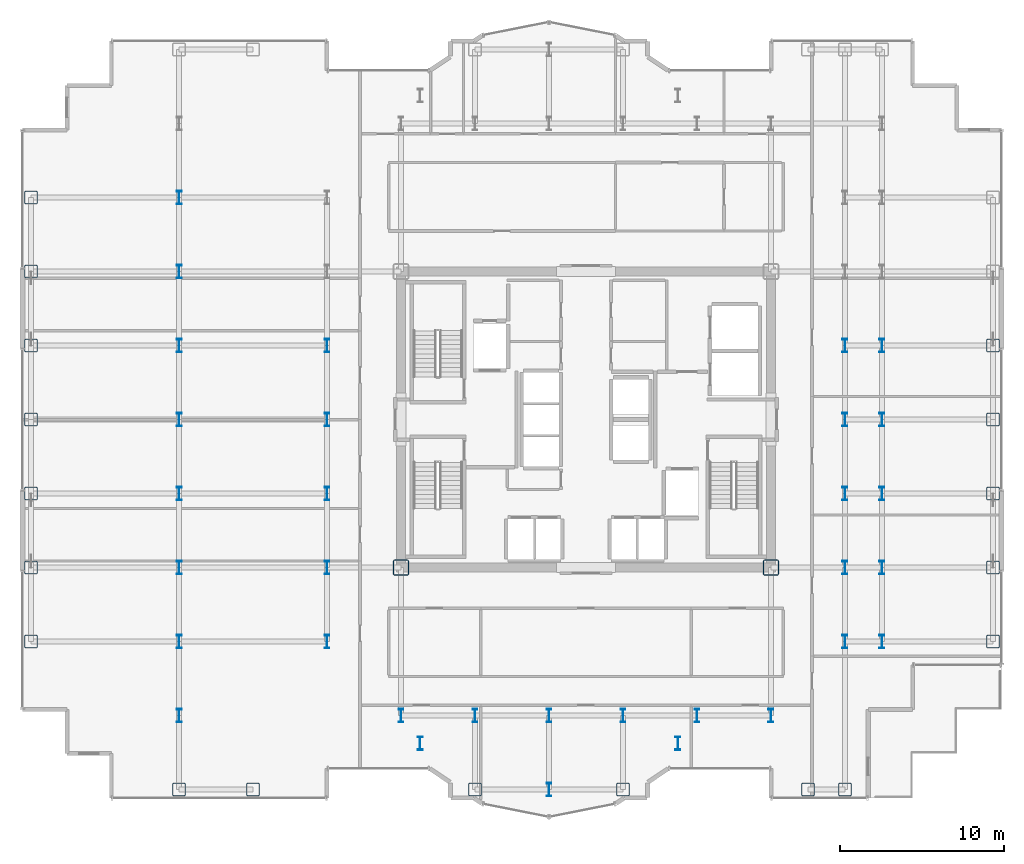
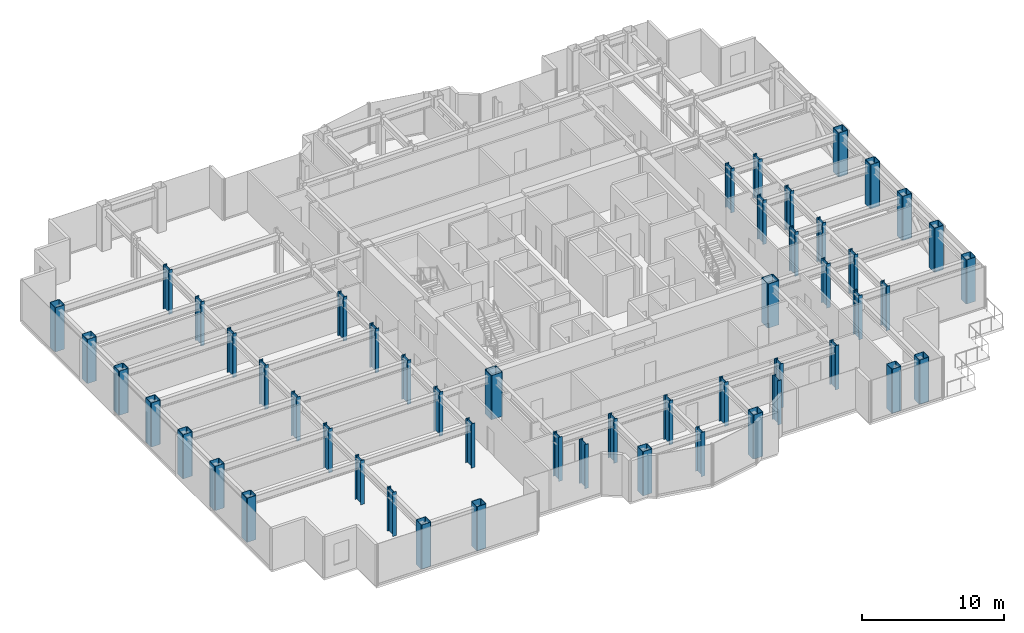
# One storey, part 1 of 27: 52 columns.
"""IFC4 building model written with IfcOpenShell, lengths in metres."""

import ifcopenshell
import ifcopenshell.guid

model = None  # the IFC model being written
_history = None  # IfcOwnerHistory: only IFC2X3 demands one
_inside = {}  # id of a spatial element -> (the spatial element, [elements in it])
_under = {}  # id of a project, library or spatial element -> (it, [spatial elements below it])
_declared = {}  # id of a project -> (the project, [libraries it declares])
_typed = {}  # id of a type object -> (the type object, [elements of that type])
_made_of = {}  # id of a material, layer set ... -> (it, [elements and type objects made of it])


def new_model(schema):
    """Start an empty IFC model of exactly this schema.

    Asked for "IFC4X3", IfcOpenShell would pick the latest addendum, in which some entities
    have other attributes; the version numbers below select the first issue.
    IFC2X3 requires an IfcOwnerHistory on every rooted entity: one is made here for all.
    """
    global model, _history
    if schema == "IFC4X3":
        model = ifcopenshell.file(schema_version=(4, 3, 0, 0))
    else:
        model = ifcopenshell.file(schema=schema)
    _inside.clear()
    _under.clear()
    _declared.clear()
    _typed.clear()
    _made_of.clear()
    _history = None
    if model.schema == "IFC2X3":
        org = make("IfcOrganization", Name="unknown")
        user = make(
            "IfcPersonAndOrganization",
            ThePerson=make("IfcPerson", FamilyName="unknown"),
            TheOrganization=org,
        )
        app = make(
            "IfcApplication",
            ApplicationDeveloper=org,
            Version="unknown",
            ApplicationFullName="unknown",
            ApplicationIdentifier="unknown",
        )
        _history = make(
            "IfcOwnerHistory",
            OwningUser=user,
            OwningApplication=app,
            ChangeAction="ADDED",
            CreationDate=0,
        )
    return model


def make(cls, **values):
    """One entity of the class cls with the attributes given. An attribute that is None is left unset."""
    return model.create_entity(
        cls, **{name: value for name, value in values.items() if value is not None}
    )


def rooted(cls, **values):
    """An entity with a GlobalId (a new one), such as an element, a storey or a relation."""
    return make(cls, GlobalId=ifcopenshell.guid.new(), OwnerHistory=_history, **values)


def si_unit(unit_type, name, prefix=None):
    """IfcSIUnit, for example si_unit("LENGTHUNIT", "METRE", prefix="MILLI")."""
    return make("IfcSIUnit", UnitType=unit_type, Prefix=prefix, Name=name)


def assignment(units):
    """IfcUnitAssignment: the units of a project."""
    return None if units is None else make("IfcUnitAssignment", Units=units)


def point(xyz):
    """IfcCartesianPoint."""
    return None if xyz is None else make("IfcCartesianPoint", Coordinates=xyz)


def direction(xyz):
    """IfcDirection."""
    return None if xyz is None else make("IfcDirection", DirectionRatios=xyz)


def frame(location, z_axis=None, x_axis=None):
    """IfcAxis2Placement3D, a coordinate frame: its origin and axes. An axis left out is left unset."""
    return make(
        "IfcAxis2Placement3D",
        Location=point(location),
        Axis=direction(z_axis),
        RefDirection=direction(x_axis),
    )


def frame_2d(location, x_axis=None):
    """IfcAxis2Placement2D, a coordinate frame in the plane: its origin and x axis."""
    return make(
        "IfcAxis2Placement2D", Location=point(location), RefDirection=direction(x_axis)
    )


def origin():
    """The frame at (0, 0, 0) with its axes left unset."""
    return frame((0.0, 0.0, 0.0))


def origin_2d():
    """The frame at (0, 0) in the plane with its x axis left unset."""
    return frame_2d((0.0, 0.0))


def place(relative_to, where):
    """IfcLocalPlacement: puts the frame where relative to a parent placement (None: the world)."""
    return make(
        "IfcLocalPlacement", PlacementRelTo=relative_to, RelativePlacement=where
    )


def context(
    kind, dimensions, precision=None, world=None, true_north=None, identifier=None
):
    """IfcGeometricRepresentationContext, for example the 3D "Model" context."""
    return make(
        "IfcGeometricRepresentationContext",
        ContextIdentifier=identifier,
        ContextType=kind,
        CoordinateSpaceDimension=dimensions,
        Precision=precision,
        WorldCoordinateSystem=world,
        TrueNorth=true_north,
    )


def subcontext(parent, identifier, kind, view, scale=None):
    """IfcGeometricRepresentationSubContext, for example "Body" below "Model"."""
    return make(
        "IfcGeometricRepresentationSubContext",
        ContextIdentifier=identifier,
        ContextType=kind,
        ParentContext=parent,
        TargetScale=scale,
        TargetView=view,
    )


def project(units=None, contexts=None):
    """IfcProject with its units and contexts."""
    return rooted(
        "IfcProject",
        Name="project",
        RepresentationContexts=contexts,
        UnitsInContext=assignment(units),
    )


def spatial(cls, under=None, at=None, **own):
    """A site, building, storey or space (cls), placed at a placement, below another one or the project."""
    s = rooted(cls, ObjectPlacement=at, **own)
    if under is not None:
        _under.setdefault(under.id(), (under, []))[1].append(s)
    return s


def profile(cls, at=None, kind="AREA", **sizes):
    """A parametric profile (cls). Its sizes go by their IFC names, for example OverallWidth=200.0."""
    return make(cls, ProfileType=kind, Position=at, **sizes)


def hollow_rectangle(**sizes):
    """IfcRectangleHollowProfileDef."""
    return profile("IfcRectangleHollowProfileDef", **sizes)


def i_section(**sizes):
    """IfcIShapeProfileDef."""
    return profile("IfcIShapeProfileDef", **sizes)


def extrude(swept, where, along, depth):
    """IfcExtrudedAreaSolid: the profile swept, set in the frame where, extruded along a direction by depth."""
    return make(
        "IfcExtrudedAreaSolid",
        SweptArea=swept,
        Position=where,
        ExtrudedDirection=direction(along),
        Depth=depth,
    )


def shape(context_of_items, identifier, shape_type, items):
    """IfcShapeRepresentation: the items that make up one representation, for example the "Body"."""
    return make(
        "IfcShapeRepresentation",
        ContextOfItems=context_of_items,
        RepresentationIdentifier=identifier,
        RepresentationType=shape_type,
        Items=items,
    )


def source(mapping_origin, context_of_items, identifier, shape_type, items):
    """IfcRepresentationMap: a shape defined once, which mapped items show again and again."""
    return make(
        "IfcRepresentationMap",
        MappingOrigin=mapping_origin,
        MappedRepresentation=shape(context_of_items, identifier, shape_type, items),
    )


def transform(
    local_origin,
    x_axis=None,
    y_axis=None,
    z_axis=None,
    scale=None,
    scale2=None,
    scale3=None,
    uniform=True,
):
    """IfcCartesianTransformationOperator3D, or its non-uniform kind. x_axis, y_axis, z_axis: its Axis1, 2, 3."""
    if uniform:
        return make(
            "IfcCartesianTransformationOperator3D",
            Axis1=direction(x_axis),
            Axis2=direction(y_axis),
            LocalOrigin=point(local_origin),
            Scale=scale,
            Axis3=direction(z_axis),
        )
    return make(
        "IfcCartesianTransformationOperator3DnonUniform",
        Axis1=direction(x_axis),
        Axis2=direction(y_axis),
        LocalOrigin=point(local_origin),
        Scale=scale,
        Axis3=direction(z_axis),
        Scale2=scale2,
        Scale3=scale3,
    )


def mapped(mapping_source, mapping_target):
    """IfcMappedItem: shows the shape of a source again, moved by a transform."""
    return make(
        "IfcMappedItem", MappingSource=mapping_source, MappingTarget=mapping_target
    )


def material(Name=None, Category=None):
    """IfcMaterial."""
    return make("IfcMaterial", Name=Name, Category=Category)


def material_profile(
    of_material, cross_section, Name=None, Category=None, Priority=None
):
    """IfcMaterialProfile: a cross section and its material."""
    return make(
        "IfcMaterialProfile",
        Name=Name,
        Material=of_material,
        Profile=cross_section,
        Priority=Priority,
        Category=Category,
    )


def profile_set(profiles, Name=None, composite=None):
    """IfcMaterialProfileSet."""
    return make(
        "IfcMaterialProfileSet",
        Name=Name,
        MaterialProfiles=profiles,
        CompositeProfile=composite,
    )


def made_of(thing, what):
    """Note that an element or type object is made of a material, layer set ...; save() writes the relation."""
    if what is not None:
        _made_of.setdefault(what.id(), (what, []))[1].append(thing)
    return thing


def type_object(cls, material=None, **own):
    """A type object (cls), such as IfcWallType, which elements share."""
    return made_of(rooted(cls, **own), material)


def element(
    cls,
    number,
    at=None,
    inside=None,
    cuts=None,
    type_object=None,
    material=None,
    context=None,
    identifier="Body",
    shape_type=None,
    held_by="IfcProductDefinitionShape",
    body=None,
    shapes=None,
    **own,
):
    """One element of the class cls, such as IfcWall. Its Tag is "e" and its number.

    at: its placement. inside: the storey or other place that contains it. cuts: it is an
    opening in that element (IfcRelVoidsElement). A single representation is given by context,
    identifier, shape_type and body (its items); several are given by shapes. held_by: the class
    of the entity that holds the representations. save() writes the other relations.
    """
    e = rooted(cls, Tag="e%d" % number, ObjectPlacement=at, **own)
    if body is not None:
        shapes = [shape(context, identifier, shape_type, body)]
    if shapes is not None:
        e.Representation = make(held_by, Representations=shapes)
    if inside is not None:
        _inside.setdefault(inside.id(), (inside, []))[1].append(e)
    if cuts is not None:
        rooted(
            "IfcRelVoidsElement", RelatingBuildingElement=cuts, RelatedOpeningElement=e
        )
    if type_object is not None:
        _typed.setdefault(type_object.id(), (type_object, []))[1].append(e)
    return made_of(e, material)


def aggregate(whole, parts):
    """IfcRelAggregates: a whole, such as a stair, and the parts it consists of."""
    return rooted("IfcRelAggregates", RelatingObject=whole, RelatedObjects=parts)


def save(model, path):
    """Write the relations noted so far, then the file.

    IfcRelAggregates (storeys below a building ...), IfcRelContainedInSpatialStructure (elements
    in a storey), IfcRelDefinesByType, IfcRelAssociatesMaterial and IfcRelDeclares: one each for
    every whole, place, type object, material and project.
    """
    for whole, parts in _under.values():
        aggregate(whole, parts)
    for where, things in _inside.values():
        rooted(
            "IfcRelContainedInSpatialStructure",
            RelatedElements=things,
            RelatingStructure=where,
        )
    for kind, things in _typed.values():
        rooted("IfcRelDefinesByType", RelatedObjects=things, RelatingType=kind)
    for what, things in _made_of.values():
        rooted("IfcRelAssociatesMaterial", RelatedObjects=things, RelatingMaterial=what)
    for by, libraries in _declared.values():
        rooted("IfcRelDeclares", RelatingContext=by, RelatedDefinitions=libraries)
    model.write(path)


model = new_model("IFC4")

# Units and contexts
model_context = context("Model", 3, precision=1e-05, world=origin(), true_north=direction((0.0, 1.0)))
body_context = subcontext(model_context, "Body", "Model", "MODEL_VIEW")
ifc_project = project(units=[si_unit("LENGTHUNIT", "METRE"), si_unit("AREAUNIT", "SQUARE_METRE"), si_unit("VOLUMEUNIT", "CUBIC_METRE"), si_unit("PLANEANGLEUNIT", "RADIAN"), si_unit("MASSUNIT", "GRAM", prefix="KILO")], contexts=[model_context])

# Site, building, storey
site_placement = place(None, origin())
site = spatial("IfcSite", under=ifc_project, at=site_placement, CompositionType="ELEMENT")
building_placement = place(site_placement, origin())
building = spatial("IfcBuilding", under=site, at=building_placement, Name="Nefas-Gora Pilgrimage Tower", CompositionType="ELEMENT")
storey_placement = place(building_placement, frame((0.0, 0.0, 183.0)))
storey = spatial("IfcBuildingStorey", under=building, at=storey_placement, Name="L45", CompositionType="ELEMENT", Elevation=183.0)

# Columns
ifc_material = material(Name="Steel S460", Category="steel")
ifc_material_profile_1 = material_profile(ifc_material, hollow_rectangle(XDim=0.949951171875, YDim=0.949951171875, WallThickness=0.044921875, InnerFilletRadius=0.044921875, OuterFilletRadius=0.090087890625, at=origin_2d()), Name="BOX 950x950x45")
ifc_profile_set_1 = profile_set([ifc_material_profile_1], Name="Steel S460")
column_type_1 = type_object("IfcColumnType", Name="COL-CORE-950", PredefinedType="COLUMN", material=ifc_profile_set_1)
shared_shape_1 = source(origin(), body_context, "Body", "SweptSolid", [
    extrude(hollow_rectangle(XDim=0.949951171875, YDim=0.949951171875, WallThickness=0.044921875, InnerFilletRadius=0.044921875, OuterFilletRadius=0.090087890625, at=origin_2d()), origin(), (0.0, 0.0, 1.0), 3.800048828125),
])
for number, where, z_axis, x_axis, name in (
    (1, (-11.25, -9.0, 0.0), (0.0, 0.0, 1.0), (1.0, 0.0, 0.0), "L45 Tower Column CC-Z1.29"),
    (2, (11.25, -9.0, 0.0), (0.0, 0.0, 1.0), (1.0, 0.0, 0.0), "L45 Tower Column CC-Z1.51"),
):
    element("IfcColumn", number, at=place(storey_placement, frame(where, z_axis=z_axis, x_axis=x_axis)), inside=storey, type_object=column_type_1, Name=name, PredefinedType="COLUMN", context=body_context, shape_type="MappedRepresentation", body=[
        mapped(shared_shape_1, transform((0.0, 0.0, 0.0), x_axis=(1.0, 0.0, 0.0), y_axis=(0.0, 1.0, 0.0), z_axis=(0.0, 0.0, 1.0), scale=1.0)),
    ])
ifc_material_profile_2 = material_profile(ifc_material, hollow_rectangle(XDim=0.800048828125, YDim=0.800048828125, WallThickness=0.0400390625, InnerFilletRadius=0.0400390625, OuterFilletRadius=0.080078125, at=origin_2d()), Name="BOX 800x800x40")
ifc_profile_set_2 = profile_set([ifc_material_profile_2], Name="Steel S460")
column_type_2 = type_object("IfcColumnType", Name="COL-TUBE-800", PredefinedType="COLUMN", material=ifc_profile_set_2)
shared_shape_2 = source(origin(), body_context, "Body", "SweptSolid", [
    extrude(hollow_rectangle(XDim=0.800048828125, YDim=0.800048828125, WallThickness=0.0400390625, InnerFilletRadius=0.0400390625, OuterFilletRadius=0.080078125, at=origin_2d()), origin(), (0.0, 0.0, 1.0), 3.800048828125),
])
for number, where, z_axis, x_axis, name in (
    (3, (-33.75, -13.5, 0.0), (0.0, 0.0, 1.0), (1.0, 0.0, 0.0), "L45 Tower Column C-Z2.1"),
    (4, (-33.75, -9.0, 0.0), (0.0, 0.0, 1.0), (1.0, 0.0, 0.0), "L45 Tower Column C-Z2.2"),
    (5, (-33.75, -4.5, 0.0), (0.0, 0.0, 1.0), (1.0, 0.0, 0.0), "L45 Tower Column C-Z2.3"),
    (6, (-33.75, 0.0, 0.0), (0.0, 0.0, 1.0), (1.0, 0.0, 0.0), "L45 Tower Column C-Z2.4"),
    (7, (-33.75, 4.5, 0.0), (0.0, 0.0, 1.0), (1.0, 0.0, 0.0), "L45 Tower Column C-Z2.5"),
    (8, (-33.75, 9.0, 0.0), (0.0, 0.0, 1.0), (1.0, 0.0, 0.0), "L45 Tower Column C-Z2.6"),
    (9, (-33.75, 13.5, 0.0), (0.0, 0.0, 1.0), (1.0, 0.0, 0.0), "L45 Tower Column C-Z2.7"),
    (10, (-24.75, -22.5, 0.0), (0.0, 0.0, 1.0), (1.0, 0.0, 0.0), "L45 Tower Column C-Z2.8"),
    (11, (-20.25, -22.5, 0.0), (0.0, 0.0, 1.0), (1.0, 0.0, 0.0), "L45 Tower Column C-Z2.19"),
    (12, (-6.75, -22.5, 0.0), (0.0, 0.0, 1.0), (1.0, 0.0, 0.0), "L45 Tower Column C-Z2.34"),
    (13, (2.25, -22.5, 0.0), (0.0, 0.0, 1.0), (1.0, 0.0, 0.0), "L45 Tower Column C-Z2.42"),
    (14, (13.5, -22.5, 0.0), (0.0, 0.0, 1.0), (1.0, 0.0, 0.0), "L45 Tower Column C-Z2.54"),
    (15, (15.75, -22.5, 0.0), (0.0, 0.0, 1.0), (1.0, 0.0, 0.0), "L45 Tower Column C-Z2.56"),
    (16, (24.75, -13.5, 0.0), (0.0, 0.0, 1.0), (1.0, 0.0, 0.0), "L45 Tower Column C-Z2.74"),
    (17, (24.75, -9.0, 0.0), (0.0, 0.0, 1.0), (1.0, 0.0, 0.0), "L45 Tower Column C-Z2.75"),
    (18, (24.75, -4.5, 0.0), (0.0, 0.0, 1.0), (1.0, 0.0, 0.0), "L45 Tower Column C-Z2.76"),
    (19, (24.75, 0.0, 0.0), (0.0, 0.0, 1.0), (1.0, 0.0, 0.0), "L45 Tower Column C-Z2.77"),
    (20, (24.75, 4.5, 0.0), (0.0, 0.0, 1.0), (1.0, 0.0, 0.0), "L45 Tower Column C-Z2.78"),
):
    element("IfcColumn", number, at=place(storey_placement, frame(where, z_axis=z_axis, x_axis=x_axis)), inside=storey, type_object=column_type_2, Name=name, PredefinedType="COLUMN", context=body_context, shape_type="MappedRepresentation", body=[
        mapped(shared_shape_2, transform((0.0, 0.0, 0.0), x_axis=(1.0, 0.0, 0.0), y_axis=(0.0, 1.0, 0.0), z_axis=(0.0, 0.0, 1.0), scale=1.0)),
    ])
ifc_material_profile_3 = material_profile(ifc_material, i_section(OverallWidth=0.302978515625, OverallDepth=0.81396484375, WebThickness=0.02099609375, FlangeThickness=0.0400390625, FilletRadius=0.030029296875, at=origin_2d()), Name="HEM 800")
ifc_profile_set_3 = profile_set([ifc_material_profile_3], Name="Steel S460")
column_type_3 = type_object("IfcColumnType", Name="COL-WEB-HEM800", PredefinedType="COLUMN", material=ifc_profile_set_3)
shared_shape_3 = source(origin(), body_context, "Body", "SweptSolid", [
    extrude(i_section(OverallWidth=0.302978515625, OverallDepth=0.81396484375, WebThickness=0.02099609375, FlangeThickness=0.0400390625, FilletRadius=0.030029296875, at=origin_2d()), origin(), (0.0, 0.0, 1.0), 3.800048828125),
])
for number, where, z_axis, x_axis, name in (
    (21, (-24.75, -18.0, 0.0), (0.0, 0.0, 1.0), (1.0, 0.0, 0.0), "L45 Tower Column CW-02.9"),
    (22, (-24.75, -13.5, 0.0), (0.0, 0.0, 1.0), (1.0, 0.0, 0.0), "L45 Tower Column CW-02.10"),
    (23, (-24.75, -9.0, 0.0), (0.0, 0.0, 1.0), (1.0, 0.0, 0.0), "L45 Tower Column CW-02.11"),
    (24, (-24.75, -4.5, 0.0), (0.0, 0.0, 1.0), (1.0, 0.0, 0.0), "L45 Tower Column CW-02.12"),
    (25, (-24.75, 0.0, 0.0), (0.0, 0.0, 1.0), (1.0, 0.0, 0.0), "L45 Tower Column CW-02.13"),
    (26, (-24.75, 4.5, 0.0), (0.0, 0.0, 1.0), (1.0, 0.0, 0.0), "L45 Tower Column CW-02.14"),
    (27, (-24.75, 9.0, 0.0), (0.0, 0.0, 1.0), (1.0, 0.0, 0.0), "L45 Tower Column CW-02.15"),
    (28, (-24.75, 13.5, 0.0), (0.0, 0.0, 1.0), (1.0, 0.0, 0.0), "L45 Tower Column CW-02.16"),
    (29, (-15.75, -13.5, 0.0), (0.0, 0.0, 1.0), (1.0, 0.0, 0.0), "L45 Tower Column CW-02.21"),
    (30, (-15.75, -9.0, 0.0), (0.0, 0.0, 1.0), (1.0, 0.0, 0.0), "L45 Tower Column CW-02.22"),
    (31, (-15.75, -4.5, 0.0), (0.0, 0.0, 1.0), (1.0, 0.0, 0.0), "L45 Tower Column CW-02.23"),
    (32, (-15.75, 0.0, 0.0), (0.0, 0.0, 1.0), (1.0, 0.0, 0.0), "L45 Tower Column CW-02.24"),
    (33, (-15.75, 4.5, 0.0), (0.0, 0.0, 1.0), (1.0, 0.0, 0.0), "L45 Tower Column CW-02.25"),
    (34, (-11.25, -18.0, 0.0), (0.0, 0.0, 1.0), (1.0, 0.0, 0.0), "L45 Tower Column CW-02.28"),
    (35, (-10.091064453125, -19.696044921875, 0.0), (0.0, 0.0, 1.0), (1.0, 0.0, 0.0), "L45 Tower Column CW-02.32"),
    (36, (-6.75, -18.0, 0.0), (0.0, 0.0, 1.0), (1.0, 0.0, 0.0), "L45 Tower Column CW-02.35"),
    (37, (-2.25, -22.5, 0.0), (0.0, 0.0, 1.0), (1.0, 0.0, 0.0), "L45 Tower Column CW-02.38"),
    (38, (-2.25, -18.0, 0.0), (0.0, 0.0, 1.0), (1.0, 0.0, 0.0), "L45 Tower Column CW-02.39"),
    (39, (2.25, -18.0, 0.0), (0.0, 0.0, 1.0), (1.0, 0.0, 0.0), "L45 Tower Column CW-02.43"),
    (40, (5.591064453125, -19.696044921875, 0.0), (0.0, 0.0, 1.0), (1.0, 0.0, 0.0), "L45 Tower Column CW-02.46"),
    (41, (6.75, -18.0, 0.0), (0.0, 0.0, 1.0), (1.0, 0.0, 0.0), "L45 Tower Column CW-02.48"),
    (42, (11.25, -18.0, 0.0), (0.0, 0.0, 1.0), (1.0, 0.0, 0.0), "L45 Tower Column CW-02.50"),
    (43, (15.75, -13.5, 0.0), (0.0, 0.0, 1.0), (1.0, 0.0, 0.0), "L45 Tower Column CW-02.57"),
    (44, (15.75, -9.0, 0.0), (0.0, 0.0, 1.0), (1.0, 0.0, 0.0), "L45 Tower Column CW-02.58"),
    (45, (15.75, -4.5, 0.0), (0.0, 0.0, 1.0), (1.0, 0.0, 0.0), "L45 Tower Column CW-02.59"),
    (46, (15.75, 0.0, 0.0), (0.0, 0.0, 1.0), (1.0, 0.0, 0.0), "L45 Tower Column CW-02.60"),
    (47, (15.75, 4.5, 0.0), (0.0, 0.0, 1.0), (1.0, 0.0, 0.0), "L45 Tower Column CW-02.61"),
    (48, (18.0, -13.5, 0.0), (0.0, 0.0, 1.0), (1.0, 0.0, 0.0), "L45 Tower Column CW-02.65"),
    (49, (18.0, -9.0, 0.0), (0.0, 0.0, 1.0), (1.0, 0.0, 0.0), "L45 Tower Column CW-02.66"),
    (50, (18.0, -4.5, 0.0), (0.0, 0.0, 1.0), (1.0, 0.0, 0.0), "L45 Tower Column CW-02.67"),
    (51, (18.0, 0.0, 0.0), (0.0, 0.0, 1.0), (1.0, 0.0, 0.0), "L45 Tower Column CW-02.68"),
    (52, (18.0, 4.5, 0.0), (0.0, 0.0, 1.0), (1.0, 0.0, 0.0), "L45 Tower Column CW-02.69"),
):
    element("IfcColumn", number, at=place(storey_placement, frame(where, z_axis=z_axis, x_axis=x_axis)), inside=storey, type_object=column_type_3, Name=name, PredefinedType="COLUMN", context=body_context, shape_type="MappedRepresentation", body=[
        mapped(shared_shape_3, transform((0.0, 0.0, 0.0), x_axis=(1.0, 0.0, 0.0), y_axis=(0.0, 1.0, 0.0), z_axis=(0.0, 0.0, 1.0), scale=1.0)),
    ])

save(model, "model.ifc")
